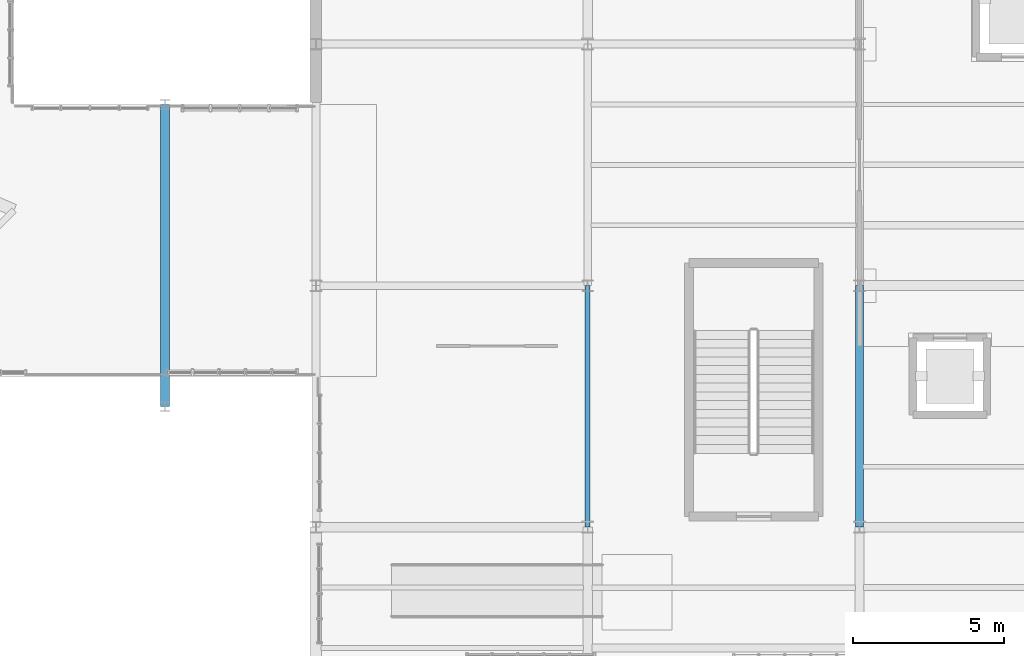
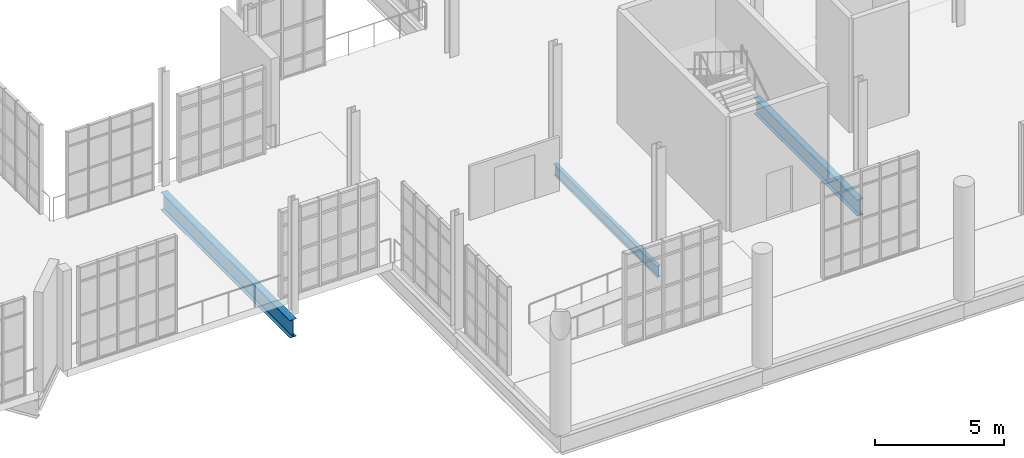
# One storey, part 52 of 189: 3 beams.
"""IFC4 building model written with IfcOpenShell, lengths in metres."""

from ifc_helpers import new_model, si_unit, direction, frame, origin, origin_2d, place, context, subcontext, project, spatial, i_section, extrude, material, material_profile, profile_set, type_object, element, save


model = new_model("IFC4")

# Units and contexts
model_context = context("Model", 3, precision=1e-05, world=origin(), true_north=direction((0.0, 1.0)))
body_context = subcontext(model_context, "Body", "Model", "MODEL_VIEW")
ifc_project = project(units=[si_unit("LENGTHUNIT", "METRE"), si_unit("AREAUNIT", "SQUARE_METRE"), si_unit("VOLUMEUNIT", "CUBIC_METRE"), si_unit("PLANEANGLEUNIT", "RADIAN"), si_unit("MASSUNIT", "GRAM", prefix="KILO"), si_unit("THERMODYNAMICTEMPERATUREUNIT", "KELVIN"), si_unit("POWERUNIT", "WATT")], contexts=[model_context])

# Site, building, storey
site_placement = place(None, origin())
site = spatial("IfcSite", under=ifc_project, at=site_placement, CompositionType="ELEMENT")
building_placement = place(site_placement, origin())
building = spatial("IfcBuilding", under=site, at=building_placement, Name="Zelmaris Science Centre", CompositionType="ELEMENT")
storey_placement = place(building_placement, origin())
storey = spatial("IfcBuildingStorey", under=building, at=storey_placement, Name="L00", CompositionType="ELEMENT", Elevation=0.0)

# Beams
ifc_material = material(Name="Steel ASTM A992 Grade 50", Category="steel")
ifc_material_profile_1 = material_profile(ifc_material, i_section(OverallWidth=0.26708984375, OverallDepth=0.77001953125, WebThickness=0.015625, FlangeThickness=0.025390625, FilletRadius=0.01904296875, at=origin_2d()), Name="W30X132")
ifc_profile_set_1 = profile_set([ifc_material_profile_1], Name="Steel ASTM A992 Grade 50")
beam_type_1 = type_object("IfcBeamType", Name="Beam G-09 W30X132", PredefinedType="BEAM", material=ifc_profile_set_1)
beam_1_placement = place(storey_placement, frame((126.0, 16.0, -0.675048828125), z_axis=(0.0, 1.0, 0.0), x_axis=(-1.0, 0.0, 0.0)))
element("IfcBeam", 1, at=beam_1_placement, inside=storey, type_object=beam_type_1, Name="L00 North-south girder 66", PredefinedType="BEAM", context=body_context, shape_type="SweptSolid", body=[
    extrude(i_section(OverallWidth=0.26708984375, OverallDepth=0.77001953125, WebThickness=0.015625, FlangeThickness=0.025390625, FilletRadius=0.01904296875, at=origin_2d()), origin(), (0.0, 0.0, 1.0), 8.0),
])
ifc_material_profile_2 = material_profile(ifc_material, i_section(OverallWidth=0.2919921875, OverallDepth=0.8359375, WebThickness=0.013916015625, FlangeThickness=0.018798828125, FilletRadius=0.02001953125, at=origin_2d()), Name="W33X118")
ifc_profile_set_2 = profile_set([ifc_material_profile_2], Name="Steel ASTM A992 Grade 50")
beam_type_2 = type_object("IfcBeamType", Name="Beam G-30 W33X118", PredefinedType="BEAM", material=ifc_profile_set_2)
beam_2_placement = place(storey_placement, frame((103.0, 20.0, -0.758056640625), z_axis=(0.0, 1.0, 0.0), x_axis=(-1.0, 0.0, 0.0)))
element("IfcBeam", 2, at=beam_2_placement, inside=storey, type_object=beam_type_2, Name="L00 North-south girder 50", PredefinedType="BEAM", context=body_context, shape_type="SweptSolid", body=[
    extrude(i_section(OverallWidth=0.2919921875, OverallDepth=0.8359375, WebThickness=0.013916015625, FlangeThickness=0.018798828125, FilletRadius=0.02001953125, at=origin_2d()), origin(), (0.0, 0.0, 1.0), 10.0),
])
ifc_material_profile_3 = material_profile(ifc_material, i_section(OverallWidth=0.1650390625, OverallDepth=0.52587890625, WebThickness=0.0087890625, FlangeThickness=0.011474609375, FilletRadius=0.013916015625, at=origin_2d()), Name="W21X44")
ifc_profile_set_3 = profile_set([ifc_material_profile_3], Name="Steel ASTM A992 Grade 50")
beam_type_3 = type_object("IfcBeamType", Name="Beam G-40 W21X44", PredefinedType="BEAM", material=ifc_profile_set_3)
beam_3_placement = place(storey_placement, frame((117.0, 16.0, -0.552978515625), z_axis=(0.0, 1.0, 0.0), x_axis=(-1.0, 0.0, 0.0)))
element("IfcBeam", 3, at=beam_3_placement, inside=storey, type_object=beam_type_3, Name="L00 North-south girder 60", PredefinedType="BEAM", context=body_context, shape_type="SweptSolid", body=[
    extrude(i_section(OverallWidth=0.1650390625, OverallDepth=0.52587890625, WebThickness=0.0087890625, FlangeThickness=0.011474609375, FilletRadius=0.013916015625, at=origin_2d()), origin(), (0.0, 0.0, 1.0), 8.0),
])

save(model, "model.ifc")
